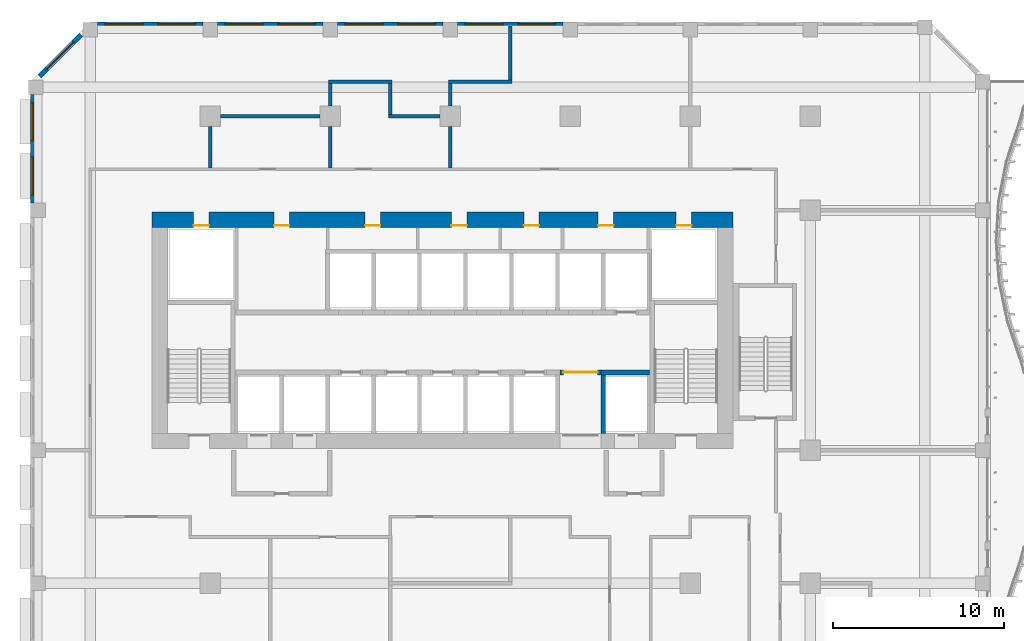
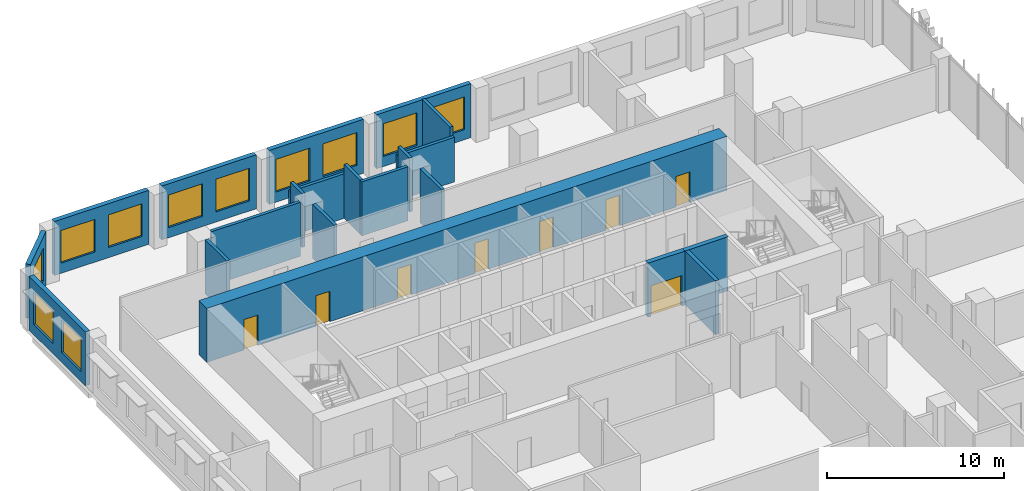
# One storey, part 14 of 26: 21 walls, 11 windows, 8 doors, 19 openings.
"""IFC4 building model written with IfcOpenShell, lengths in metres."""

from ifc_helpers import new_model, si_unit, direction, frame, frame_2d, origin, place, context, subcontext, project, spatial, rectangle, extrude, source, transform, mapped, material, layer, layer_set, type_object, element, fill, save


model = new_model("IFC4")

# Units and contexts
model_context = context("Model", 3, precision=1e-05, world=origin(), true_north=direction((0.0, 1.0)))
body_context = subcontext(model_context, "Body", "Model", "MODEL_VIEW")
ifc_project = project(units=[si_unit("LENGTHUNIT", "METRE"), si_unit("AREAUNIT", "SQUARE_METRE"), si_unit("VOLUMEUNIT", "CUBIC_METRE"), si_unit("PLANEANGLEUNIT", "RADIAN"), si_unit("MASSUNIT", "GRAM", prefix="KILO")], contexts=[model_context])

# Site, building, storey
site_placement = place(None, origin())
site = spatial("IfcSite", under=ifc_project, at=site_placement, CompositionType="ELEMENT")
building_placement = place(site_placement, origin())
building = spatial("IfcBuilding", under=site, at=building_placement, Name="Kilnfold Tower and Market Hall", CompositionType="ELEMENT")
storey_placement = place(building_placement, frame((0.0, 0.0, 108.60009765625)))
storey = spatial("IfcBuildingStorey", under=building, at=storey_placement, Name="L25", CompositionType="ELEMENT", Elevation=108.60009765625)

# Walls
ifc_material_1 = material(Name="Gypsum board on steel studs", Category="steel")
ifc_layer_1 = layer(ifc_material_1, 0.199951171875)
ifc_layer_set_1 = layer_set([ifc_layer_1], Name="Gypsum board on steel studs")
wall_type_1 = type_object("IfcWallType", Name="WALL PARTY 200", PredefinedType="PARTITIONING", material=ifc_layer_set_1)
wall_1_placement = place(storey_placement, frame((1.5, 24.47607421875, 0.0), z_axis=(0.0, 0.0, 1.0), x_axis=(0.0, 1.0, 0.0)))
element("IfcWall", 1, at=wall_1_placement, inside=storey, type_object=wall_type_1, Name="Partition LY16.63", PredefinedType="PARTITIONING", context=body_context, shape_type="SweptSolid", body=[
    extrude(rectangle(XDim=2.423828125, YDim=0.199951171875, at=frame_2d((1.2119140625, 0.0))), origin(), (0.0, 0.0, 1.0), 3.719970703125),
])
wall_2_placement = place(storey_placement, frame((1.5, 28.10009765625, 0.0), z_axis=(0.0, 0.0, 1.0), x_axis=(0.0, 1.0, 0.0)))
element("IfcWall", 2, at=wall_2_placement, inside=storey, type_object=wall_type_1, Name="Partition LY16.64", PredefinedType="PARTITIONING", context=body_context, shape_type="SweptSolid", body=[
    extrude(rectangle(XDim=1.2998046875, YDim=0.199951171875, at=frame_2d((0.64990234375, 0.0))), origin(), (0.0, 0.0, 1.0), 3.719970703125),
])
wall_3_placement = place(storey_placement, frame((1.39990234375, 29.5, 0.0), z_axis=(0.0, 0.0, 1.0), x_axis=(1.0, 0.0, 0.0)))
element("IfcWall", 3, at=wall_3_placement, inside=storey, type_object=wall_type_1, Name="Partition LY16.65", PredefinedType="PARTITIONING", context=body_context, shape_type="SweptSolid", body=[
    extrude(rectangle(XDim=3.7001953125, YDim=0.199951171875, at=frame_2d((1.85009765625, 0.0))), origin(), (0.0, 0.0, 1.0), 3.06982421875),
])
wall_4_placement = place(storey_placement, frame((5.0, 29.60009765625, 0.0), z_axis=(0.0, 0.0, 1.0), x_axis=(0.0, 1.0, 0.0)))
element("IfcWall", 4, at=wall_4_placement, inside=storey, type_object=wall_type_1, Name="Partition LY16.66", PredefinedType="PARTITIONING", context=body_context, shape_type="SweptSolid", body=[
    extrude(rectangle(XDim=3.14990234375, YDim=0.199951171875, at=frame_2d((1.574951171875, 0.0))), origin(), (0.0, 0.0, 1.0), 3.719970703125),
])
wall_5_placement = place(storey_placement, frame((-5.5, 24.47607421875, 0.0), z_axis=(0.0, 0.0, 1.0), x_axis=(0.0, 1.0, 0.0)))
element("IfcWall", 5, at=wall_5_placement, inside=storey, type_object=wall_type_1, Name="Partition LY16.67", PredefinedType="PARTITIONING", context=body_context, shape_type="SweptSolid", body=[
    extrude(rectangle(XDim=2.423828125, YDim=0.199951171875, at=frame_2d((1.2119140625, 0.0))), origin(), (0.0, 0.0, 1.0), 3.719970703125),
])
wall_6_placement = place(storey_placement, frame((-2.10009765625, 27.5, 0.0), z_axis=(0.0, 0.0, 1.0), x_axis=(1.0, 0.0, 0.0)))
element("IfcWall", 6, at=wall_6_placement, inside=storey, type_object=wall_type_1, Name="Partition LY16.68", PredefinedType="PARTITIONING", context=body_context, shape_type="SweptSolid", body=[
    extrude(rectangle(XDim=3.0, YDim=0.199951171875, at=frame_2d((1.5, 0.0))), origin(), (0.0, 0.0, 1.0), 3.719970703125),
])
wall_7_placement = place(storey_placement, frame((-5.5, 28.10009765625, 0.0), z_axis=(0.0, 0.0, 1.0), x_axis=(0.0, 1.0, 0.0)))
element("IfcWall", 7, at=wall_7_placement, inside=storey, type_object=wall_type_1, Name="Partition LY16.69", PredefinedType="PARTITIONING", context=body_context, shape_type="SweptSolid", body=[
    extrude(rectangle(XDim=1.2998046875, YDim=0.199951171875, at=frame_2d((0.64990234375, 0.0))), origin(), (0.0, 0.0, 1.0), 3.719970703125),
])
wall_8_placement = place(storey_placement, frame((-5.60009765625, 29.5, 0.0), z_axis=(0.0, 0.0, 1.0), x_axis=(1.0, 0.0, 0.0)))
element("IfcWall", 8, at=wall_8_placement, inside=storey, type_object=wall_type_1, Name="Partition LY16.70", PredefinedType="PARTITIONING", context=body_context, shape_type="SweptSolid", body=[
    extrude(rectangle(XDim=3.7001953125, YDim=0.199951171875, at=frame_2d((1.85009765625, 0.0))), origin(), (0.0, 0.0, 1.0), 3.06982421875),
])
wall_9_placement = place(storey_placement, frame((-2.0, 27.60009765625, 0.0), z_axis=(0.0, 0.0, 1.0), x_axis=(0.0, 1.0, 0.0)))
element("IfcWall", 9, at=wall_9_placement, inside=storey, type_object=wall_type_1, Name="Partition LY16.71", PredefinedType="PARTITIONING", context=body_context, shape_type="SweptSolid", body=[
    extrude(rectangle(XDim=1.7998046875, YDim=0.199951171875, at=frame_2d((0.89990234375, 0.0))), origin(), (0.0, 0.0, 1.0), 3.719970703125),
])
wall_10_placement = place(storey_placement, frame((-12.5, 26.89990234375, 0.0), z_axis=(0.0, 0.0, 1.0), x_axis=(0.0, -1.0, 0.0)))
element("IfcWall", 10, at=wall_10_placement, inside=storey, type_object=wall_type_1, Name="Partition LY16.72", PredefinedType="PARTITIONING", context=body_context, shape_type="SweptSolid", body=[
    extrude(rectangle(XDim=2.423828125, YDim=0.199951171875, at=frame_2d((1.2119140625, 0.0))), origin(), (0.0, 0.0, 1.0), 3.719970703125),
])
wall_11_placement = place(storey_placement, frame((-11.89990234375, 27.5, 0.0), z_axis=(0.0, 0.0, 1.0), x_axis=(1.0, 0.0, 0.0)))
element("IfcWall", 11, at=wall_11_placement, inside=storey, type_object=wall_type_1, Name="Partition LY16.73", PredefinedType="PARTITIONING", context=body_context, shape_type="SweptSolid", body=[
    extrude(rectangle(XDim=5.7998046875, YDim=0.199951171875, at=frame_2d((2.89990234375, 0.0))), origin(), (0.0, 0.0, 1.0), 3.719970703125),
])
ifc_material_2 = material(Name="Concrete C70", Category="concrete")
ifc_layer_2 = layer(ifc_material_2, 0.300048828125)
ifc_layer_set_2 = layer_set([ifc_layer_2], Name="Concrete C70")
wall_type_2 = type_object("IfcWallType", Name="CORE WALL 300 C70", PredefinedType="SHEAR", material=ifc_layer_set_2)
shared_shape_1 = source(origin(), body_context, "Body", "SweptSolid", [
    extrude(rectangle(XDim=2.820068359375, YDim=0.300048828125, at=frame_2d((1.41015625, 0.0))), origin(), (0.0, 0.0, 1.0), 3.719970703125),
])
wall_12_placement = place(storey_placement, frame((10.2900390625, 12.550048828125, 0.0), z_axis=(0.0, 0.0, 1.0), x_axis=(1.0, 0.0, 0.0)))
element("IfcWall", 12, at=wall_12_placement, inside=storey, type_object=wall_type_2, Name="Core spine wall", PredefinedType="SHEAR", context=body_context, shape_type="MappedRepresentation", body=[
    mapped(shared_shape_1, transform((0.0, 0.0, 0.0))),
])

# Wall, openings, doors
ifc_material_3 = material(Name="Concrete C70", Category="concrete")
ifc_layer_3 = layer(ifc_material_3, 0.89990234375)
ifc_layer_set_3 = layer_set([ifc_layer_3], Name="Concrete C70")
wall_type_3 = type_object("IfcWallType", Name="CORE WALL 900 C70", PredefinedType="SHEAR", material=ifc_layer_set_3)
shared_shape_2 = source(origin(), body_context, "Body", "SweptSolid", [
    extrude(rectangle(XDim=33.89990234375, YDim=0.89990234375, at=frame_2d((16.949951171875, 0.0))), origin(), (0.0, 0.0, 1.0), 3.719970703125),
])
wall_13_placement = place(storey_placement, frame((-15.89990234375, 21.449951171875, 0.0), z_axis=(0.0, 0.0, 1.0), x_axis=(1.0, 0.0, 0.0)))
wall_13 = element("IfcWall", 13, at=wall_13_placement, inside=storey, type_object=wall_type_3, Name="Core outer wall north", PredefinedType="SHEAR", context=body_context, shape_type="MappedRepresentation", body=[
    mapped(shared_shape_2, transform((0.0, 0.0, 0.0))),
])
opening_1_placement = place(wall_13_placement, frame((7.1201171875, 0.0, 0.0)))
opening_1 = element("IfcOpeningElement", 14, at=opening_1_placement, cuts=wall_13, Name="Opening KD1", PredefinedType="OPENING", context=body_context, shape_type="SweptSolid", body=[
    extrude(rectangle(XDim=0.89990234375, YDim=2.10009765625, at=frame_2d((0.449951171875, 1.050048828125))), frame((0.0, 0.4599609375, 0.0), z_axis=(0.0, -1.0, 0.0), x_axis=(1.0, 0.0, 0.0)), (0.0, 0.0, 1.0), 0.919921875),
])
opening_2_placement = place(wall_13_placement, frame((12.426513671875, 0.0, 0.0)))
opening_2 = element("IfcOpeningElement", 15, at=opening_2_placement, cuts=wall_13, Name="Opening KD1", PredefinedType="OPENING", context=body_context, shape_type="SweptSolid", body=[
    extrude(rectangle(XDim=0.89990234375, YDim=2.10009765625, at=frame_2d((0.449951171875, 1.050048828125))), frame((0.0, 0.4599609375, 0.0), z_axis=(0.0, -1.0, 0.0), x_axis=(1.0, 0.0, 0.0)), (0.0, 0.0, 1.0), 0.919921875),
])
opening_3_placement = place(wall_13_placement, frame((17.46484375, 0.0, 0.0)))
opening_3 = element("IfcOpeningElement", 16, at=opening_3_placement, cuts=wall_13, Name="Opening KD1", PredefinedType="OPENING", context=body_context, shape_type="SweptSolid", body=[
    extrude(rectangle(XDim=0.89990234375, YDim=2.10009765625, at=frame_2d((0.449951171875, 1.050048828125))), frame((0.0, 0.4599609375, 0.0), z_axis=(0.0, -1.0, 0.0), x_axis=(1.0, 0.0, 0.0)), (0.0, 0.0, 1.0), 0.919921875),
])
opening_4_placement = place(wall_13_placement, frame((21.685791015625, 0.0, 0.0)))
opening_4 = element("IfcOpeningElement", 17, at=opening_4_placement, cuts=wall_13, Name="Opening KD1", PredefinedType="OPENING", context=body_context, shape_type="SweptSolid", body=[
    extrude(rectangle(XDim=0.89990234375, YDim=2.10009765625, at=frame_2d((0.449951171875, 1.050048828125))), frame((0.0, 0.4599609375, 0.0), z_axis=(0.0, -1.0, 0.0), x_axis=(1.0, 0.0, 0.0)), (0.0, 0.0, 1.0), 0.919921875),
])
opening_5_placement = place(wall_13_placement, frame((26.02734375, 0.0, 0.0)))
opening_5 = element("IfcOpeningElement", 18, at=opening_5_placement, cuts=wall_13, Name="Opening KD1", PredefinedType="OPENING", context=body_context, shape_type="SweptSolid", body=[
    extrude(rectangle(XDim=0.89990234375, YDim=2.10009765625, at=frame_2d((0.449951171875, 1.050048828125))), frame((0.0, 0.4599609375, 0.0), z_axis=(0.0, -1.0, 0.0), x_axis=(1.0, 0.0, 0.0)), (0.0, 0.0, 1.0), 0.919921875),
])
opening_6_placement = place(wall_13_placement, frame((2.425048828125, 0.0, 0.0)))
opening_6 = element("IfcOpeningElement", 19, at=opening_6_placement, cuts=wall_13, Name="Opening KD1", PredefinedType="OPENING", context=body_context, shape_type="SweptSolid", body=[
    extrude(rectangle(XDim=0.89990234375, YDim=2.10009765625, at=frame_2d((0.449951171875, 1.050048828125))), frame((0.0, 0.4599609375, 0.0), z_axis=(0.0, -1.0, 0.0), x_axis=(1.0, 0.0, 0.0)), (0.0, 0.0, 1.0), 0.919921875),
])
opening_7_placement = place(wall_13_placement, frame((30.574951171875, 0.0, 0.0)))
opening_7 = element("IfcOpeningElement", 20, at=opening_7_placement, cuts=wall_13, Name="Opening KD1", PredefinedType="OPENING", context=body_context, shape_type="SweptSolid", body=[
    extrude(rectangle(XDim=0.89990234375, YDim=2.10009765625, at=frame_2d((0.449951171875, 1.050048828125))), frame((0.0, 0.4599609375, 0.0), z_axis=(0.0, -1.0, 0.0), x_axis=(1.0, 0.0, 0.0)), (0.0, 0.0, 1.0), 0.919921875),
])
ifc_material_4 = material(Name="Steel door set with fire-resisting leaf", Category="steel")
door_type_1 = type_object("IfcDoorType", Name="SERVICE DOOR 900X2100", OperationType="NOTDEFINED", PredefinedType="DOOR", material=ifc_material_4)
door_1_placement = place(opening_1_placement, origin())
door_1 = element("IfcDoor", 21, at=door_1_placement, inside=storey, type_object=door_type_1, Name="Core service door", OperationType="SINGLE_SWING_RIGHT", OverallHeight=2.10009765625, OverallWidth=0.89990234375, PredefinedType="DOOR", context=body_context, shape_type="SweptSolid", body=[
    extrude(rectangle(XDim=0.89990234375, YDim=2.10009765625, at=frame_2d((0.449951171875, 1.050048828125))), frame((0.0, -0.30517578125, 0.0), z_axis=(0.0, -1.0, 0.0), x_axis=(1.0, 0.0, 0.0)), (0.0, 0.0, 1.0), 0.050048828125),
])
fill(opening_1, door_1)
door_2_placement = place(opening_2_placement, origin())
door_2 = element("IfcDoor", 22, at=door_2_placement, inside=storey, type_object=door_type_1, Name="Core service door", OperationType="SINGLE_SWING_LEFT", OverallHeight=2.10009765625, OverallWidth=0.89990234375, PredefinedType="DOOR", context=body_context, shape_type="SweptSolid", body=[
    extrude(rectangle(XDim=0.89990234375, YDim=2.10009765625, at=frame_2d((0.449951171875, 1.050048828125))), frame((0.0, -0.30517578125, 0.0), z_axis=(0.0, -1.0, 0.0), x_axis=(1.0, 0.0, 0.0)), (0.0, 0.0, 1.0), 0.050048828125),
])
fill(opening_2, door_2)
door_3_placement = place(opening_3_placement, origin())
door_3 = element("IfcDoor", 23, at=door_3_placement, inside=storey, type_object=door_type_1, Name="Core service door", OperationType="SINGLE_SWING_RIGHT", OverallHeight=2.10009765625, OverallWidth=0.89990234375, PredefinedType="DOOR", context=body_context, shape_type="SweptSolid", body=[
    extrude(rectangle(XDim=0.89990234375, YDim=2.10009765625, at=frame_2d((0.449951171875, 1.050048828125))), frame((0.0, -0.30517578125, 0.0), z_axis=(0.0, -1.0, 0.0), x_axis=(1.0, 0.0, 0.0)), (0.0, 0.0, 1.0), 0.050048828125),
])
fill(opening_3, door_3)
door_4_placement = place(opening_4_placement, origin())
door_4 = element("IfcDoor", 24, at=door_4_placement, inside=storey, type_object=door_type_1, Name="Core service door", OperationType="SINGLE_SWING_LEFT", OverallHeight=2.10009765625, OverallWidth=0.89990234375, PredefinedType="DOOR", context=body_context, shape_type="SweptSolid", body=[
    extrude(rectangle(XDim=0.89990234375, YDim=2.10009765625, at=frame_2d((0.449951171875, 1.050048828125))), frame((0.0, -0.30517578125, 0.0), z_axis=(0.0, -1.0, 0.0), x_axis=(1.0, 0.0, 0.0)), (0.0, 0.0, 1.0), 0.050048828125),
])
fill(opening_4, door_4)
door_5_placement = place(opening_5_placement, origin())
door_5 = element("IfcDoor", 25, at=door_5_placement, inside=storey, type_object=door_type_1, Name="Core service door", OperationType="SINGLE_SWING_RIGHT", OverallHeight=2.10009765625, OverallWidth=0.89990234375, PredefinedType="DOOR", context=body_context, shape_type="SweptSolid", body=[
    extrude(rectangle(XDim=0.89990234375, YDim=2.10009765625, at=frame_2d((0.449951171875, 1.050048828125))), frame((0.0, -0.30517578125, 0.0), z_axis=(0.0, -1.0, 0.0), x_axis=(1.0, 0.0, 0.0)), (0.0, 0.0, 1.0), 0.050048828125),
])
fill(opening_5, door_5)
door_6_placement = place(opening_6_placement, origin())
door_6 = element("IfcDoor", 26, at=door_6_placement, inside=storey, type_object=door_type_1, Name="Electrical riser access door", OperationType="SINGLE_SWING_LEFT", OverallHeight=2.10009765625, OverallWidth=0.89990234375, PredefinedType="DOOR", context=body_context, shape_type="SweptSolid", body=[
    extrude(rectangle(XDim=0.89990234375, YDim=2.10009765625, at=frame_2d((0.449951171875, 1.050048828125))), frame((0.0, -0.30517578125, 0.0), z_axis=(0.0, -1.0, 0.0), x_axis=(1.0, 0.0, 0.0)), (0.0, 0.0, 1.0), 0.050048828125),
])
fill(opening_6, door_6)
door_7_placement = place(opening_7_placement, origin())
door_7 = element("IfcDoor", 27, at=door_7_placement, inside=storey, type_object=door_type_1, Name="Mechanical riser access door", OperationType="SINGLE_SWING_RIGHT", OverallHeight=2.10009765625, OverallWidth=0.89990234375, PredefinedType="DOOR", context=body_context, shape_type="SweptSolid", body=[
    extrude(rectangle(XDim=0.89990234375, YDim=2.10009765625, at=frame_2d((0.449951171875, 1.050048828125))), frame((0.0, -0.30517578125, 0.0), z_axis=(0.0, -1.0, 0.0), x_axis=(1.0, 0.0, 0.0)), (0.0, 0.0, 1.0), 0.050048828125),
])
fill(opening_7, door_7)

# Wall, opening, window
ifc_material_5 = material(Name="Precast concrete C50/60", Category="concrete")
ifc_layer_4 = layer(ifc_material_5, 0.300048828125)
ifc_layer_set_4 = layer_set([ifc_layer_4], Name="Precast concrete C50/60")
wall_type_4 = type_object("IfcWallType", Name="PRECAST WALL 300", PredefinedType="SOLIDWALL", material=ifc_layer_set_4)
shared_shape_3 = source(origin(), body_context, "Body", "SweptSolid", [
    extrude(rectangle(XDim=3.429443359375, YDim=0.300048828125, at=frame_2d((1.71484375, 0.0))), origin(), (0.0, 0.0, 1.0), 3.719970703125),
])
wall_14_placement = place(storey_placement, frame((-20.0439453125, 32.243896484375, 0.0), z_axis=(0.0, 0.0, 1.0), x_axis=(-0.707106781187, -0.707106781187, 0.0)))
wall_14 = element("IfcWall", 28, at=wall_14_placement, inside=storey, type_object=wall_type_4, Name="External wall L25 NW", PredefinedType="SOLIDWALL", context=body_context, shape_type="MappedRepresentation", body=[
    mapped(shared_shape_3, transform((0.0, 0.0, 0.0))),
])
opening_8_placement = place(wall_14_placement, frame((0.61474609375, 0.0, 0.699951171875)))
opening_8 = element("IfcOpeningElement", 29, at=opening_8_placement, cuts=wall_14, Name="Opening W1", PredefinedType="OPENING", context=body_context, shape_type="SweptSolid", body=[
    extrude(rectangle(XDim=2.199951171875, YDim=2.25, at=frame_2d((1.10009765625, 1.125))), frame((0.0, 0.16015625, 0.0), z_axis=(0.0, -1.0, 0.0), x_axis=(1.0, 0.0, 0.0)), (0.0, 0.0, 1.0), 0.320068359375),
])
ifc_material_6 = material(Name="Aluminium frame and double glazing", Category="aluminium")
window_type = type_object("IfcWindowType", Name="WINDOW W1 2200X2250", PartitioningType="SINGLE_PANEL", PredefinedType="WINDOW", material=ifc_material_6)
window_1_placement = place(opening_8_placement, origin())
window_1 = element("IfcWindow", 30, at=window_1_placement, inside=storey, type_object=window_type, Name="Window W1 L25 NW-1", OverallHeight=2.25, OverallWidth=2.199951171875, PartitioningType="SINGLE_PANEL", PredefinedType="WINDOW", context=body_context, shape_type="SweptSolid", body=[
    extrude(rectangle(XDim=2.199951171875, YDim=2.25, at=frame_2d((1.10009765625, 1.125))), frame((0.0, 0.030029296875, 0.0), z_axis=(0.0, -1.0, 0.0), x_axis=(1.0, 0.0, 0.0)), (0.0, 0.0, 1.0), 0.06005859375),
])
fill(opening_8, window_1)

# Wall, openings, windows
shared_shape_4 = source(origin(), body_context, "Body", "SweptSolid", [
    extrude(rectangle(XDim=6.14990234375, YDim=0.300048828125, at=frame_2d((3.074951171875, 0.0))), origin(), (0.0, 0.0, 1.0), 3.719970703125),
])
wall_15_placement = place(storey_placement, frame((8.074951171875, 32.85009765625, 0.0), z_axis=(0.0, 0.0, 1.0), x_axis=(-1.0, 0.0, 0.0)))
wall_15 = element("IfcWall", 31, at=wall_15_placement, inside=storey, type_object=wall_type_4, Name="External wall L25 N", PredefinedType="SOLIDWALL", context=body_context, shape_type="MappedRepresentation", body=[
    mapped(shared_shape_4, transform((0.0, 0.0, 0.0))),
])
opening_9_placement = place(wall_15_placement, frame((0.4375, 0.0, 0.699951171875)))
opening_9 = element("IfcOpeningElement", 32, at=opening_9_placement, cuts=wall_15, Name="Opening W1", PredefinedType="OPENING", context=body_context, shape_type="SweptSolid", body=[
    extrude(rectangle(XDim=2.199951171875, YDim=2.25, at=frame_2d((1.10009765625, 1.125))), frame((0.0, 0.16015625, 0.0), z_axis=(0.0, -1.0, 0.0), x_axis=(1.0, 0.0, 0.0)), (0.0, 0.0, 1.0), 0.320068359375),
])
opening_10_placement = place(wall_15_placement, frame((3.512451171875, 0.0, 0.699951171875)))
opening_10 = element("IfcOpeningElement", 33, at=opening_10_placement, cuts=wall_15, Name="Opening W1", PredefinedType="OPENING", context=body_context, shape_type="SweptSolid", body=[
    extrude(rectangle(XDim=2.199951171875, YDim=2.25, at=frame_2d((1.10009765625, 1.125))), frame((0.0, 0.16015625, 0.0), z_axis=(0.0, -1.0, 0.0), x_axis=(1.0, 0.0, 0.0)), (0.0, 0.0, 1.0), 0.320068359375),
])
window_2_placement = place(opening_9_placement, origin())
window_2 = element("IfcWindow", 34, at=window_2_placement, inside=storey, type_object=window_type, Name="Window W1 L25 N-1", OverallHeight=2.25, OverallWidth=2.199951171875, PartitioningType="SINGLE_PANEL", PredefinedType="WINDOW", context=body_context, shape_type="SweptSolid", body=[
    extrude(rectangle(XDim=2.199951171875, YDim=2.25, at=frame_2d((1.10009765625, 1.125))), frame((0.0, 0.030029296875, 0.0), z_axis=(0.0, -1.0, 0.0), x_axis=(1.0, 0.0, 0.0)), (0.0, 0.0, 1.0), 0.06005859375),
])
fill(opening_9, window_2)
window_3_placement = place(opening_10_placement, origin())
window_3 = element("IfcWindow", 35, at=window_3_placement, inside=storey, type_object=window_type, Name="Window W1 L25 N-2", OverallHeight=2.25, OverallWidth=2.199951171875, PartitioningType="SINGLE_PANEL", PredefinedType="WINDOW", context=body_context, shape_type="SweptSolid", body=[
    extrude(rectangle(XDim=2.199951171875, YDim=2.25, at=frame_2d((1.10009765625, 1.125))), frame((0.0, 0.030029296875, 0.0), z_axis=(0.0, -1.0, 0.0), x_axis=(1.0, 0.0, 0.0)), (0.0, 0.0, 1.0), 0.06005859375),
])
fill(opening_10, window_3)

wall_16_placement = place(storey_placement, frame((1.074951171875, 32.85009765625, 0.0), z_axis=(0.0, 0.0, 1.0), x_axis=(-1.0, 0.0, 0.0)))
wall_16 = element("IfcWall", 36, at=wall_16_placement, inside=storey, type_object=wall_type_4, Name="External wall L25 N", PredefinedType="SOLIDWALL", context=body_context, shape_type="MappedRepresentation", body=[
    mapped(shared_shape_4, transform((0.0, 0.0, 0.0))),
])
opening_11_placement = place(wall_16_placement, frame((0.4375, 0.0, 0.699951171875)))
opening_11 = element("IfcOpeningElement", 37, at=opening_11_placement, cuts=wall_16, Name="Opening W1", PredefinedType="OPENING", context=body_context, shape_type="SweptSolid", body=[
    extrude(rectangle(XDim=2.199951171875, YDim=2.25, at=frame_2d((1.10009765625, 1.125))), frame((0.0, 0.16015625, 0.0), z_axis=(0.0, -1.0, 0.0), x_axis=(1.0, 0.0, 0.0)), (0.0, 0.0, 1.0), 0.320068359375),
])
opening_12_placement = place(wall_16_placement, frame((3.512451171875, 0.0, 0.699951171875)))
opening_12 = element("IfcOpeningElement", 38, at=opening_12_placement, cuts=wall_16, Name="Opening W1", PredefinedType="OPENING", context=body_context, shape_type="SweptSolid", body=[
    extrude(rectangle(XDim=2.199951171875, YDim=2.25, at=frame_2d((1.10009765625, 1.125))), frame((0.0, 0.16015625, 0.0), z_axis=(0.0, -1.0, 0.0), x_axis=(1.0, 0.0, 0.0)), (0.0, 0.0, 1.0), 0.320068359375),
])
window_4_placement = place(opening_11_placement, origin())
window_4 = element("IfcWindow", 39, at=window_4_placement, inside=storey, type_object=window_type, Name="Window W1 L25 N-1", OverallHeight=2.25, OverallWidth=2.199951171875, PartitioningType="SINGLE_PANEL", PredefinedType="WINDOW", context=body_context, shape_type="SweptSolid", body=[
    extrude(rectangle(XDim=2.199951171875, YDim=2.25, at=frame_2d((1.10009765625, 1.125))), frame((0.0, 0.030029296875, 0.0), z_axis=(0.0, -1.0, 0.0), x_axis=(1.0, 0.0, 0.0)), (0.0, 0.0, 1.0), 0.06005859375),
])
fill(opening_11, window_4)
window_5_placement = place(opening_12_placement, origin())
window_5 = element("IfcWindow", 40, at=window_5_placement, inside=storey, type_object=window_type, Name="Window W1 L25 N-2", OverallHeight=2.25, OverallWidth=2.199951171875, PartitioningType="SINGLE_PANEL", PredefinedType="WINDOW", context=body_context, shape_type="SweptSolid", body=[
    extrude(rectangle(XDim=2.199951171875, YDim=2.25, at=frame_2d((1.10009765625, 1.125))), frame((0.0, 0.030029296875, 0.0), z_axis=(0.0, -1.0, 0.0), x_axis=(1.0, 0.0, 0.0)), (0.0, 0.0, 1.0), 0.06005859375),
])
fill(opening_12, window_5)

wall_17_placement = place(storey_placement, frame((-5.925048828125, 32.85009765625, 0.0), z_axis=(0.0, 0.0, 1.0), x_axis=(-1.0, 0.0, 0.0)))
wall_17 = element("IfcWall", 41, at=wall_17_placement, inside=storey, type_object=wall_type_4, Name="External wall L25 N", PredefinedType="SOLIDWALL", context=body_context, shape_type="MappedRepresentation", body=[
    mapped(shared_shape_4, transform((0.0, 0.0, 0.0))),
])
opening_13_placement = place(wall_17_placement, frame((0.4375, 0.0, 0.699951171875)))
opening_13 = element("IfcOpeningElement", 42, at=opening_13_placement, cuts=wall_17, Name="Opening W1", PredefinedType="OPENING", context=body_context, shape_type="SweptSolid", body=[
    extrude(rectangle(XDim=2.199951171875, YDim=2.25, at=frame_2d((1.10009765625, 1.125))), frame((0.0, 0.16015625, 0.0), z_axis=(0.0, -1.0, 0.0), x_axis=(1.0, 0.0, 0.0)), (0.0, 0.0, 1.0), 0.320068359375),
])
opening_14_placement = place(wall_17_placement, frame((3.512451171875, 0.0, 0.699951171875)))
opening_14 = element("IfcOpeningElement", 43, at=opening_14_placement, cuts=wall_17, Name="Opening W1", PredefinedType="OPENING", context=body_context, shape_type="SweptSolid", body=[
    extrude(rectangle(XDim=2.199951171875, YDim=2.25, at=frame_2d((1.10009765625, 1.125))), frame((0.0, 0.16015625, 0.0), z_axis=(0.0, -1.0, 0.0), x_axis=(1.0, 0.0, 0.0)), (0.0, 0.0, 1.0), 0.320068359375),
])
window_6_placement = place(opening_13_placement, origin())
window_6 = element("IfcWindow", 44, at=window_6_placement, inside=storey, type_object=window_type, Name="Window W1 L25 N-1", OverallHeight=2.25, OverallWidth=2.199951171875, PartitioningType="SINGLE_PANEL", PredefinedType="WINDOW", context=body_context, shape_type="SweptSolid", body=[
    extrude(rectangle(XDim=2.199951171875, YDim=2.25, at=frame_2d((1.10009765625, 1.125))), frame((0.0, 0.030029296875, 0.0), z_axis=(0.0, -1.0, 0.0), x_axis=(1.0, 0.0, 0.0)), (0.0, 0.0, 1.0), 0.06005859375),
])
fill(opening_13, window_6)
window_7_placement = place(opening_14_placement, origin())
window_7 = element("IfcWindow", 45, at=window_7_placement, inside=storey, type_object=window_type, Name="Window W1 L25 N-2", OverallHeight=2.25, OverallWidth=2.199951171875, PartitioningType="SINGLE_PANEL", PredefinedType="WINDOW", context=body_context, shape_type="SweptSolid", body=[
    extrude(rectangle(XDim=2.199951171875, YDim=2.25, at=frame_2d((1.10009765625, 1.125))), frame((0.0, 0.030029296875, 0.0), z_axis=(0.0, -1.0, 0.0), x_axis=(1.0, 0.0, 0.0)), (0.0, 0.0, 1.0), 0.06005859375),
])
fill(opening_14, window_7)

wall_18_placement = place(storey_placement, frame((-12.925048828125, 32.85009765625, 0.0), z_axis=(0.0, 0.0, 1.0), x_axis=(-1.0, 0.0, 0.0)))
wall_18 = element("IfcWall", 46, at=wall_18_placement, inside=storey, type_object=wall_type_4, Name="External wall L25 N", PredefinedType="SOLIDWALL", context=body_context, shape_type="MappedRepresentation", body=[
    mapped(shared_shape_4, transform((0.0, 0.0, 0.0))),
])
opening_15_placement = place(wall_18_placement, frame((0.4375, 0.0, 0.699951171875)))
opening_15 = element("IfcOpeningElement", 47, at=opening_15_placement, cuts=wall_18, Name="Opening W1", PredefinedType="OPENING", context=body_context, shape_type="SweptSolid", body=[
    extrude(rectangle(XDim=2.199951171875, YDim=2.25, at=frame_2d((1.10009765625, 1.125))), frame((0.0, 0.16015625, 0.0), z_axis=(0.0, -1.0, 0.0), x_axis=(1.0, 0.0, 0.0)), (0.0, 0.0, 1.0), 0.320068359375),
])
opening_16_placement = place(wall_18_placement, frame((3.512451171875, 0.0, 0.699951171875)))
opening_16 = element("IfcOpeningElement", 48, at=opening_16_placement, cuts=wall_18, Name="Opening W1", PredefinedType="OPENING", context=body_context, shape_type="SweptSolid", body=[
    extrude(rectangle(XDim=2.199951171875, YDim=2.25, at=frame_2d((1.10009765625, 1.125))), frame((0.0, 0.16015625, 0.0), z_axis=(0.0, -1.0, 0.0), x_axis=(1.0, 0.0, 0.0)), (0.0, 0.0, 1.0), 0.320068359375),
])
window_8_placement = place(opening_15_placement, origin())
window_8 = element("IfcWindow", 49, at=window_8_placement, inside=storey, type_object=window_type, Name="Window W1 L25 N-1", OverallHeight=2.25, OverallWidth=2.199951171875, PartitioningType="SINGLE_PANEL", PredefinedType="WINDOW", context=body_context, shape_type="SweptSolid", body=[
    extrude(rectangle(XDim=2.199951171875, YDim=2.25, at=frame_2d((1.10009765625, 1.125))), frame((0.0, 0.030029296875, 0.0), z_axis=(0.0, -1.0, 0.0), x_axis=(1.0, 0.0, 0.0)), (0.0, 0.0, 1.0), 0.06005859375),
])
fill(opening_15, window_8)
window_9_placement = place(opening_16_placement, origin())
window_9 = element("IfcWindow", 50, at=window_9_placement, inside=storey, type_object=window_type, Name="Window W1 L25 N-2", OverallHeight=2.25, OverallWidth=2.199951171875, PartitioningType="SINGLE_PANEL", PredefinedType="WINDOW", context=body_context, shape_type="SweptSolid", body=[
    extrude(rectangle(XDim=2.199951171875, YDim=2.25, at=frame_2d((1.10009765625, 1.125))), frame((0.0, 0.030029296875, 0.0), z_axis=(0.0, -1.0, 0.0), x_axis=(1.0, 0.0, 0.0)), (0.0, 0.0, 1.0), 0.06005859375),
])
fill(opening_16, window_9)

shared_shape_5 = source(origin(), body_context, "Body", "SweptSolid", [
    extrude(rectangle(XDim=6.331787109375, YDim=0.300048828125, at=frame_2d((3.166015625, 0.0))), origin(), (0.0, 0.0, 1.0), 3.719970703125),
])
wall_19_placement = place(storey_placement, frame((-22.85009765625, 28.7568359375, 0.0), z_axis=(0.0, 0.0, 1.0), x_axis=(0.0, -1.0, 0.0)))
wall_19 = element("IfcWall", 51, at=wall_19_placement, inside=storey, type_object=wall_type_4, Name="External wall L25 W", PredefinedType="SOLIDWALL", context=body_context, shape_type="MappedRepresentation", body=[
    mapped(shared_shape_5, transform((0.0, 0.0, 0.0))),
])
opening_17_placement = place(wall_19_placement, frame((0.48291015625, 0.0, 0.699951171875)))
opening_17 = element("IfcOpeningElement", 52, at=opening_17_placement, cuts=wall_19, Name="Opening W1", PredefinedType="OPENING", context=body_context, shape_type="SweptSolid", body=[
    extrude(rectangle(XDim=2.199951171875, YDim=2.25, at=frame_2d((1.10009765625, 1.125))), frame((0.0, 0.16015625, 0.0), z_axis=(0.0, -1.0, 0.0), x_axis=(1.0, 0.0, 0.0)), (0.0, 0.0, 1.0), 0.320068359375),
])
opening_18_placement = place(wall_19_placement, frame((3.648681640625, 0.0, 0.699951171875)))
opening_18 = element("IfcOpeningElement", 53, at=opening_18_placement, cuts=wall_19, Name="Opening W1", PredefinedType="OPENING", context=body_context, shape_type="SweptSolid", body=[
    extrude(rectangle(XDim=2.199951171875, YDim=2.25, at=frame_2d((1.10009765625, 1.125))), frame((0.0, 0.16015625, 0.0), z_axis=(0.0, -1.0, 0.0), x_axis=(1.0, 0.0, 0.0)), (0.0, 0.0, 1.0), 0.320068359375),
])
window_10_placement = place(opening_17_placement, origin())
window_10 = element("IfcWindow", 54, at=window_10_placement, inside=storey, type_object=window_type, Name="Window W1 L25 W-1", OverallHeight=2.25, OverallWidth=2.199951171875, PartitioningType="SINGLE_PANEL", PredefinedType="WINDOW", context=body_context, shape_type="SweptSolid", body=[
    extrude(rectangle(XDim=2.199951171875, YDim=2.25, at=frame_2d((1.10009765625, 1.125))), frame((0.0, 0.030029296875, 0.0), z_axis=(0.0, -1.0, 0.0), x_axis=(1.0, 0.0, 0.0)), (0.0, 0.0, 1.0), 0.06005859375),
])
fill(opening_17, window_10)
window_11_placement = place(opening_18_placement, origin())
window_11 = element("IfcWindow", 55, at=window_11_placement, inside=storey, type_object=window_type, Name="Window W1 L25 W-2", OverallHeight=2.25, OverallWidth=2.199951171875, PartitioningType="SINGLE_PANEL", PredefinedType="WINDOW", context=body_context, shape_type="SweptSolid", body=[
    extrude(rectangle(XDim=2.199951171875, YDim=2.25, at=frame_2d((1.10009765625, 1.125))), frame((0.0, 0.030029296875, 0.0), z_axis=(0.0, -1.0, 0.0), x_axis=(1.0, 0.0, 0.0)), (0.0, 0.0, 1.0), 0.06005859375),
])
fill(opening_18, window_11)

# Wall, opening, door
ifc_material_7 = material(Name="Gypsum shaft wall system")
ifc_layer_5 = layer(ifc_material_7, 0.300048828125)
ifc_layer_set_5 = layer_set([ifc_layer_5], Name="Gypsum shaft wall system")
wall_type_5 = type_object("IfcWallType", Name="SHAFT WALL 300", PredefinedType="PARTITIONING", material=ifc_layer_set_5)
shared_shape_6 = source(origin(), body_context, "Body", "SweptSolid", [
    extrude(rectangle(XDim=2.400146484375, YDim=0.300048828125, at=frame_2d((1.2001953125, 0.0))), origin(), (0.0, 0.0, 1.0), 3.719970703125),
])
wall_20_placement = place(storey_placement, frame((7.889892578125, 12.550048828125, 0.0), z_axis=(0.0, 0.0, 1.0), x_axis=(1.0, 0.0, 0.0)))
wall_20 = element("IfcWall", 56, at=wall_20_placement, inside=storey, type_object=wall_type_5, Name="Lift shaft front wall", PredefinedType="PARTITIONING", context=body_context, shape_type="MappedRepresentation", body=[
    mapped(shared_shape_6, transform((0.0, 0.0, 0.0))),
])
opening_19_placement = place(wall_20_placement, frame((0.199951171875, 0.0, 0.0)))
opening_19 = element("IfcOpeningElement", 57, at=opening_19_placement, cuts=wall_20, Name="Opening VD2", PredefinedType="OPENING", context=body_context, shape_type="SweptSolid", body=[
    extrude(rectangle(XDim=2.0, YDim=2.10009765625, at=frame_2d((1.0, 1.050048828125))), frame((0.0, 0.16015625, 0.0), z_axis=(0.0, -1.0, 0.0), x_axis=(1.0, 0.0, 0.0)), (0.0, 0.0, 1.0), 0.320068359375),
])
ifc_material_8 = material(Name="Steel door set with fire-resisting leaf", Category="steel")
door_type_2 = type_object("IfcDoorType", Name="LIFT LOBBY ENTRANCE DOOR 2000X2100", OperationType="NOTDEFINED", PredefinedType="DOOR", material=ifc_material_8)
door_8_placement = place(opening_19_placement, origin())
door_8 = element("IfcDoor", 58, at=door_8_placement, inside=storey, type_object=door_type_2, Name="Lift lobby entrance door", OperationType="DOUBLE_DOOR_SINGLE_SWING", OverallHeight=2.10009765625, OverallWidth=2.0, PredefinedType="DOOR", context=body_context, shape_type="SweptSolid", body=[
    extrude(rectangle(XDim=2.0, YDim=2.10009765625, at=frame_2d((1.0, 1.050048828125))), frame((0.0, 0.02490234375, 0.0), z_axis=(0.0, -1.0, 0.0), x_axis=(1.0, 0.0, 0.0)), (0.0, 0.0, 1.0), 0.050048828125),
])
fill(opening_19, door_8)

# Wall
ifc_material_9 = material(Name="Gypsum shaft wall system")
ifc_layer_6 = layer(ifc_material_9, 0.25)
ifc_layer_set_6 = layer_set([ifc_layer_6], Name="Gypsum shaft wall system")
wall_type_6 = type_object("IfcWallType", Name="SHAFT WALL 250", PredefinedType="PARTITIONING", material=ifc_layer_set_6)
shared_shape_7 = source(origin(), body_context, "Body", "SweptSolid", [
    extrude(rectangle(XDim=3.39990234375, YDim=0.25, at=frame_2d((1.699951171875, 0.0))), origin(), (0.0, 0.0, 1.0), 3.719970703125),
])
wall_21_placement = place(storey_placement, frame((10.429931640625, 9.0, 0.0), z_axis=(0.0, 0.0, 1.0), x_axis=(0.0, 1.0, 0.0)))
element("IfcWall", 59, at=wall_21_placement, inside=storey, type_object=wall_type_6, Name="Lift shaft wall", PredefinedType="PARTITIONING", context=body_context, shape_type="MappedRepresentation", body=[
    mapped(shared_shape_7, transform((0.0, 0.0, 0.0))),
])

save(model, "model.ifc")
